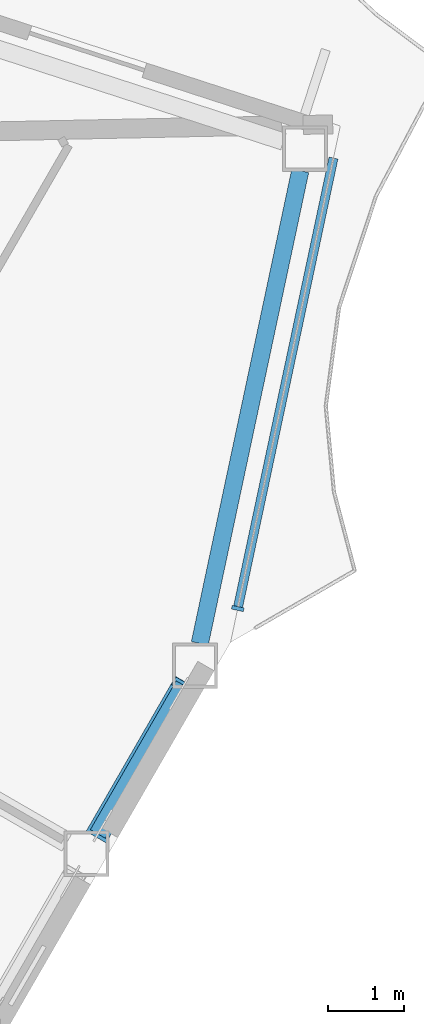
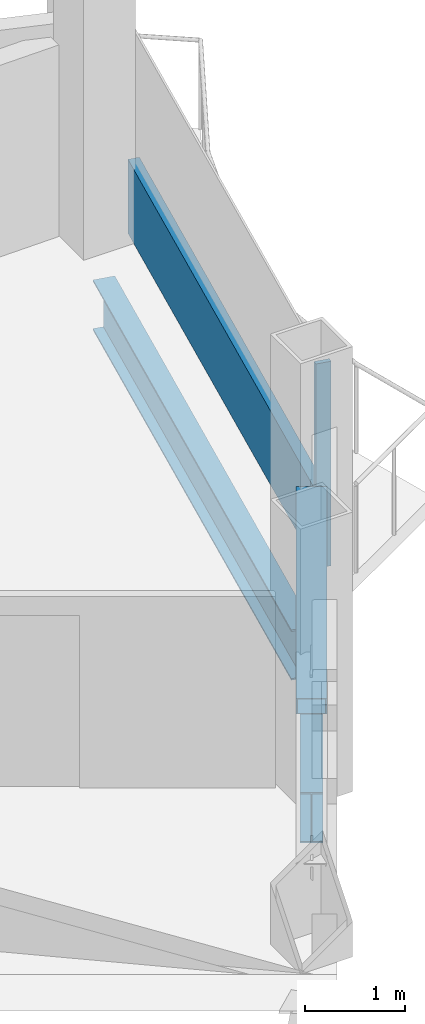
# One storey, part 8 of 27: 3 members, 2 beams, 1 element without a shape of its own.
"""IFC4 building model written with IfcOpenShell, lengths in metres."""

import ifcopenshell
import ifcopenshell.guid

model = None  # the IFC model being written
_history = None  # IfcOwnerHistory: only IFC2X3 demands one
_inside = {}  # id of a spatial element -> (the spatial element, [elements in it])
_under = {}  # id of a project, library or spatial element -> (it, [spatial elements below it])
_declared = {}  # id of a project -> (the project, [libraries it declares])
_typed = {}  # id of a type object -> (the type object, [elements of that type])
_made_of = {}  # id of a material, layer set ... -> (it, [elements and type objects made of it])


def new_model(schema):
    """Start an empty IFC model of exactly this schema.

    Asked for "IFC4X3", IfcOpenShell would pick the latest addendum, in which some entities
    have other attributes; the version numbers below select the first issue.
    IFC2X3 requires an IfcOwnerHistory on every rooted entity: one is made here for all.
    """
    global model, _history
    if schema == "IFC4X3":
        model = ifcopenshell.file(schema_version=(4, 3, 0, 0))
    else:
        model = ifcopenshell.file(schema=schema)
    _inside.clear()
    _under.clear()
    _declared.clear()
    _typed.clear()
    _made_of.clear()
    _history = None
    if model.schema == "IFC2X3":
        org = make("IfcOrganization", Name="unknown")
        user = make(
            "IfcPersonAndOrganization",
            ThePerson=make("IfcPerson", FamilyName="unknown"),
            TheOrganization=org,
        )
        app = make(
            "IfcApplication",
            ApplicationDeveloper=org,
            Version="unknown",
            ApplicationFullName="unknown",
            ApplicationIdentifier="unknown",
        )
        _history = make(
            "IfcOwnerHistory",
            OwningUser=user,
            OwningApplication=app,
            ChangeAction="ADDED",
            CreationDate=0,
        )
    return model


def make(cls, **values):
    """One entity of the class cls with the attributes given. An attribute that is None is left unset."""
    return model.create_entity(
        cls, **{name: value for name, value in values.items() if value is not None}
    )


def rooted(cls, **values):
    """An entity with a GlobalId (a new one), such as an element, a storey or a relation."""
    return make(cls, GlobalId=ifcopenshell.guid.new(), OwnerHistory=_history, **values)


def si_unit(unit_type, name, prefix=None):
    """IfcSIUnit, for example si_unit("LENGTHUNIT", "METRE", prefix="MILLI")."""
    return make("IfcSIUnit", UnitType=unit_type, Prefix=prefix, Name=name)


def assignment(units):
    """IfcUnitAssignment: the units of a project."""
    return None if units is None else make("IfcUnitAssignment", Units=units)


def point(xyz):
    """IfcCartesianPoint."""
    return None if xyz is None else make("IfcCartesianPoint", Coordinates=xyz)


def direction(xyz):
    """IfcDirection."""
    return None if xyz is None else make("IfcDirection", DirectionRatios=xyz)


def frame(location, z_axis=None, x_axis=None):
    """IfcAxis2Placement3D, a coordinate frame: its origin and axes. An axis left out is left unset."""
    return make(
        "IfcAxis2Placement3D",
        Location=point(location),
        Axis=direction(z_axis),
        RefDirection=direction(x_axis),
    )


def frame_2d(location, x_axis=None):
    """IfcAxis2Placement2D, a coordinate frame in the plane: its origin and x axis."""
    return make(
        "IfcAxis2Placement2D", Location=point(location), RefDirection=direction(x_axis)
    )


def origin():
    """The frame at (0, 0, 0) with its axes left unset."""
    return frame((0.0, 0.0, 0.0))


def origin_2d():
    """The frame at (0, 0) in the plane with its x axis left unset."""
    return frame_2d((0.0, 0.0))


def place(relative_to, where):
    """IfcLocalPlacement: puts the frame where relative to a parent placement (None: the world)."""
    return make(
        "IfcLocalPlacement", PlacementRelTo=relative_to, RelativePlacement=where
    )


def context(
    kind, dimensions, precision=None, world=None, true_north=None, identifier=None
):
    """IfcGeometricRepresentationContext, for example the 3D "Model" context."""
    return make(
        "IfcGeometricRepresentationContext",
        ContextIdentifier=identifier,
        ContextType=kind,
        CoordinateSpaceDimension=dimensions,
        Precision=precision,
        WorldCoordinateSystem=world,
        TrueNorth=true_north,
    )


def subcontext(parent, identifier, kind, view, scale=None):
    """IfcGeometricRepresentationSubContext, for example "Body" below "Model"."""
    return make(
        "IfcGeometricRepresentationSubContext",
        ContextIdentifier=identifier,
        ContextType=kind,
        ParentContext=parent,
        TargetScale=scale,
        TargetView=view,
    )


def project(units=None, contexts=None):
    """IfcProject with its units and contexts."""
    return rooted(
        "IfcProject",
        Name="project",
        RepresentationContexts=contexts,
        UnitsInContext=assignment(units),
    )


def spatial(cls, under=None, at=None, **own):
    """A site, building, storey or space (cls), placed at a placement, below another one or the project."""
    s = rooted(cls, ObjectPlacement=at, **own)
    if under is not None:
        _under.setdefault(under.id(), (under, []))[1].append(s)
    return s


def profile(cls, at=None, kind="AREA", **sizes):
    """A parametric profile (cls). Its sizes go by their IFC names, for example OverallWidth=200.0."""
    return make(cls, ProfileType=kind, Position=at, **sizes)


def rectangle(**sizes):
    """IfcRectangleProfileDef."""
    return profile("IfcRectangleProfileDef", **sizes)


def hollow_rectangle(**sizes):
    """IfcRectangleHollowProfileDef."""
    return profile("IfcRectangleHollowProfileDef", **sizes)


def i_section(**sizes):
    """IfcIShapeProfileDef."""
    return profile("IfcIShapeProfileDef", **sizes)


def extrude(swept, where, along, depth):
    """IfcExtrudedAreaSolid: the profile swept, set in the frame where, extruded along a direction by depth."""
    return make(
        "IfcExtrudedAreaSolid",
        SweptArea=swept,
        Position=where,
        ExtrudedDirection=direction(along),
        Depth=depth,
    )


def shape(context_of_items, identifier, shape_type, items):
    """IfcShapeRepresentation: the items that make up one representation, for example the "Body"."""
    return make(
        "IfcShapeRepresentation",
        ContextOfItems=context_of_items,
        RepresentationIdentifier=identifier,
        RepresentationType=shape_type,
        Items=items,
    )


def material(Name=None, Category=None):
    """IfcMaterial."""
    return make("IfcMaterial", Name=Name, Category=Category)


def layer(
    of_material, thickness, ventilated=None, Name=None, Category=None, Priority=None
):
    """IfcMaterialLayer: one layer of a wall or slab, of a material (None: an air gap)."""
    return make(
        "IfcMaterialLayer",
        Material=of_material,
        LayerThickness=thickness,
        IsVentilated=ventilated,
        Name=Name,
        Category=Category,
        Priority=Priority,
    )


def layer_set(layers, Name=None):
    """IfcMaterialLayerSet."""
    return make("IfcMaterialLayerSet", MaterialLayers=layers, LayerSetName=Name)


def material_profile(
    of_material, cross_section, Name=None, Category=None, Priority=None
):
    """IfcMaterialProfile: a cross section and its material."""
    return make(
        "IfcMaterialProfile",
        Name=Name,
        Material=of_material,
        Profile=cross_section,
        Priority=Priority,
        Category=Category,
    )


def profile_set(profiles, Name=None, composite=None):
    """IfcMaterialProfileSet."""
    return make(
        "IfcMaterialProfileSet",
        Name=Name,
        MaterialProfiles=profiles,
        CompositeProfile=composite,
    )


def made_of(thing, what):
    """Note that an element or type object is made of a material, layer set ...; save() writes the relation."""
    if what is not None:
        _made_of.setdefault(what.id(), (what, []))[1].append(thing)
    return thing


def type_object(cls, material=None, **own):
    """A type object (cls), such as IfcWallType, which elements share."""
    return made_of(rooted(cls, **own), material)


def element(
    cls,
    number,
    at=None,
    inside=None,
    cuts=None,
    type_object=None,
    material=None,
    context=None,
    identifier="Body",
    shape_type=None,
    held_by="IfcProductDefinitionShape",
    body=None,
    shapes=None,
    **own,
):
    """One element of the class cls, such as IfcWall. Its Tag is "e" and its number.

    at: its placement. inside: the storey or other place that contains it. cuts: it is an
    opening in that element (IfcRelVoidsElement). A single representation is given by context,
    identifier, shape_type and body (its items); several are given by shapes. held_by: the class
    of the entity that holds the representations. save() writes the other relations.
    """
    e = rooted(cls, Tag="e%d" % number, ObjectPlacement=at, **own)
    if body is not None:
        shapes = [shape(context, identifier, shape_type, body)]
    if shapes is not None:
        e.Representation = make(held_by, Representations=shapes)
    if inside is not None:
        _inside.setdefault(inside.id(), (inside, []))[1].append(e)
    if cuts is not None:
        rooted(
            "IfcRelVoidsElement", RelatingBuildingElement=cuts, RelatedOpeningElement=e
        )
    if type_object is not None:
        _typed.setdefault(type_object.id(), (type_object, []))[1].append(e)
    return made_of(e, material)


def aggregate(whole, parts):
    """IfcRelAggregates: a whole, such as a stair, and the parts it consists of."""
    return rooted("IfcRelAggregates", RelatingObject=whole, RelatedObjects=parts)


def save(model, path):
    """Write the relations noted so far, then the file.

    IfcRelAggregates (storeys below a building ...), IfcRelContainedInSpatialStructure (elements
    in a storey), IfcRelDefinesByType, IfcRelAssociatesMaterial and IfcRelDeclares: one each for
    every whole, place, type object, material and project.
    """
    for whole, parts in _under.values():
        aggregate(whole, parts)
    for where, things in _inside.values():
        rooted(
            "IfcRelContainedInSpatialStructure",
            RelatedElements=things,
            RelatingStructure=where,
        )
    for kind, things in _typed.values():
        rooted("IfcRelDefinesByType", RelatedObjects=things, RelatingType=kind)
    for what, things in _made_of.values():
        rooted("IfcRelAssociatesMaterial", RelatedObjects=things, RelatingMaterial=what)
    for by, libraries in _declared.values():
        rooted("IfcRelDeclares", RelatingContext=by, RelatedDefinitions=libraries)
    model.write(path)


model = new_model("IFC4")

# Units and contexts
model_context = context("Model", 3, precision=1e-05, world=origin(), true_north=direction((0.0, 1.0)))
body_context = subcontext(model_context, "Body", "Model", "MODEL_VIEW")
ifc_project = project(units=[si_unit("LENGTHUNIT", "METRE"), si_unit("AREAUNIT", "SQUARE_METRE"), si_unit("VOLUMEUNIT", "CUBIC_METRE"), si_unit("PLANEANGLEUNIT", "RADIAN"), si_unit("MASSUNIT", "GRAM", prefix="KILO")], contexts=[model_context])

# Site, building, storey
site_placement = place(None, origin())
site = spatial("IfcSite", under=ifc_project, at=site_placement, CompositionType="ELEMENT")
building_placement = place(site_placement, origin())
building = spatial("IfcBuilding", under=site, at=building_placement, Name="Cormorant Prow Tower", CompositionType="ELEMENT")
storey_placement = place(building_placement, frame((0.0, 0.0, 312.0)))
storey = spatial("IfcBuildingStorey", under=building, at=storey_placement, Name="L68", CompositionType="ELEMENT", Elevation=312.0)

# Member
ifc_material_1 = material(Name="Structural steel ASTM A500 Gr C", Category="steel")
ifc_material_profile_1 = material_profile(ifc_material_1, hollow_rectangle(XDim=0.3046875, YDim=0.3046875, WallThickness=0.01171875, at=origin_2d()), Name="HSS12x12x1/2")
ifc_profile_set_1 = profile_set([ifc_material_profile_1], Name="Structural steel ASTM A500 Gr C")
member_type_1 = type_object("IfcMemberType", Name="Chamfer brace HSS12x12x1/2", PredefinedType="BRACE", material=ifc_profile_set_1)
member_1_placement = place(storey_placement, frame((27.589599609375, -15.5654296875, 0.7412109375), z_axis=(0.456265706889, 0.790324476185, 0.408911759503), x_axis=(-0.866038851724, 0.499976706761, 0.0)))
element("IfcMember", 1, at=member_1_placement, inside=storey, type_object=member_type_1, Name="Chamfer brace BR3 at ESE01 L68", PredefinedType="BRACE", context=body_context, shape_type="SweptSolid", body=[
    extrude(hollow_rectangle(XDim=0.3046875, YDim=0.3046875, WallThickness=0.01171875, at=origin_2d()), origin(), (0.0, 0.0, 1.0), 2.459228515625),
])

# Curtain wall, members
ifc_material_2 = material(Name="Aluminium 6063-T6", Category="aluminium")
ifc_layer = layer(ifc_material_2, 0.159912109375)
ifc_layer_set = layer_set([ifc_layer], Name="Aluminium 6063-T6")
curtain_wall_type = type_object("IfcCurtainWallType", Name="Residential unitised curtain wall 160", PredefinedType="NOTDEFINED", material=ifc_layer_set)
curtain_wall_placement = place(storey_placement, origin())
curtain_wall = element("IfcCurtainWall", 2, at=curtain_wall_placement, inside=storey, type_object=curtain_wall_type, Name="Residential curtain wall ENE00", PredefinedType="NOTDEFINED")
ifc_material_3 = material(Name="Aluminium 6063-T6", Category="aluminium")
ifc_material_profile_2 = material_profile(ifc_material_3, rectangle(XDim=0.159912109375, YDim=0.050048828125, at=origin_2d()), Name="Residential mullion 50x160")
ifc_profile_set_2 = profile_set([ifc_material_profile_2], Name="Aluminium 6063-T6")
member_type_2 = type_object("IfcMemberType", Name="Residential mullion 50x160", PredefinedType="MULLION", material=ifc_profile_set_2)
member_2_placement = place(storey_placement, frame((29.433837890625, -12.59326171875, 0.0), z_axis=(0.0, 0.0, 1.0), x_axis=(-0.978147615151, 0.207911622991, 0.0)))
member_2 = element("IfcMember", 3, at=member_2_placement, type_object=member_type_2, Name="Residential mullion ENE00", PredefinedType="MULLION", context=body_context, shape_type="SweptSolid", body=[
    extrude(rectangle(XDim=0.159912109375, YDim=0.050048828125, at=origin_2d()), origin(), (0.0, 0.0, 1.0), 2.48779296875),
])
ifc_material_4 = material(Name="Terracotta", Category="masonry")
ifc_material_profile_3 = material_profile(ifc_material_4, rectangle(XDim=0.1201171875, YDim=0.89990234375, at=origin_2d()), Name="Residential terracotta spandrel rail 120x900")
ifc_profile_set_3 = profile_set([ifc_material_profile_3], Name="Terracotta")
member_type_3 = type_object("IfcMemberType", Name="Residential terracotta spandrel rail 120x900", PredefinedType="USERDEFINED", material=ifc_profile_set_3)
member_3_placement = place(storey_placement, frame((29.43896484375, -12.56884765625, 0.449951171875), z_axis=(0.207913597079, 0.978147195544, 0.0), x_axis=(-0.978147195544, 0.207913597079, 0.0)))
member_3 = element("IfcMember", 4, at=member_3_placement, type_object=member_type_3, Name="Residential spandrel rail ENE00", ObjectType="TRANSOM", PredefinedType="USERDEFINED", context=body_context, shape_type="SweptSolid", body=[
    extrude(rectangle(XDim=0.1201171875, YDim=0.89990234375, at=origin_2d()), origin(), (0.0, 0.0, 1.0), 6.069580078125),
])
aggregate(curtain_wall, [member_2, member_3])

# Beams
ifc_material_5 = material(Name="Structural steel ASTM A992 Gr 50", Category="steel")
ifc_material_profile_4 = material_profile(ifc_material_5, i_section(OverallWidth=0.22900390625, OverallDepth=0.612060546875, WebThickness=0.011962890625, FlangeThickness=0.01953125, at=origin_2d()), Name="W24x84")
ifc_profile_set_4 = profile_set([ifc_material_profile_4], Name="Structural steel ASTM A992 Gr 50")
beam_type = type_object("IfcBeamType", Name="Spandrel beam W24x84", PredefinedType="SPANDREL", material=ifc_profile_set_4)
beam_1_placement = place(storey_placement, frame((27.582275390625, -15.578125, -0.60595703125), z_axis=(0.500053962254, 0.865994246421, 0.0), x_axis=(-0.865994246421, 0.500053962254, 0.0)))
element("IfcBeam", 5, at=beam_1_placement, inside=storey, type_object=beam_type, Name="Spandrel beam SB3 ESE01-ENE00 L68", PredefinedType="SPANDREL", context=body_context, shape_type="SweptSolid", body=[
    extrude(i_section(OverallWidth=0.22900390625, OverallDepth=0.612060546875, WebThickness=0.011962890625, FlangeThickness=0.01953125, at=origin_2d()), origin(), (0.0, 0.0, 1.0), 2.273681640625),
])
beam_2_placement = place(storey_placement, frame((28.931640625, -13.055908203125, -0.60595703125), z_axis=(0.20791262393, 0.978147402394, 0.0), x_axis=(-0.978147402394, 0.20791262393, 0.0)))
element("IfcBeam", 6, at=beam_2_placement, inside=storey, type_object=beam_type, Name="Spandrel beam SB3 ENE00-ENE01 L68", PredefinedType="SPANDREL", context=body_context, shape_type="SweptSolid", body=[
    extrude(i_section(OverallWidth=0.22900390625, OverallDepth=0.612060546875, WebThickness=0.011962890625, FlangeThickness=0.01953125, at=origin_2d()), origin(), (0.0, 0.0, 1.0), 6.396240234375),
])

save(model, "model.ifc")
